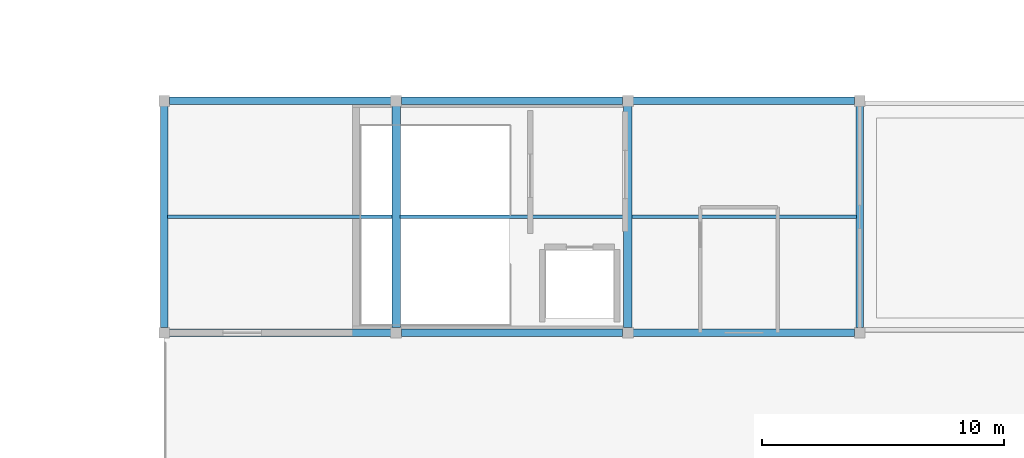
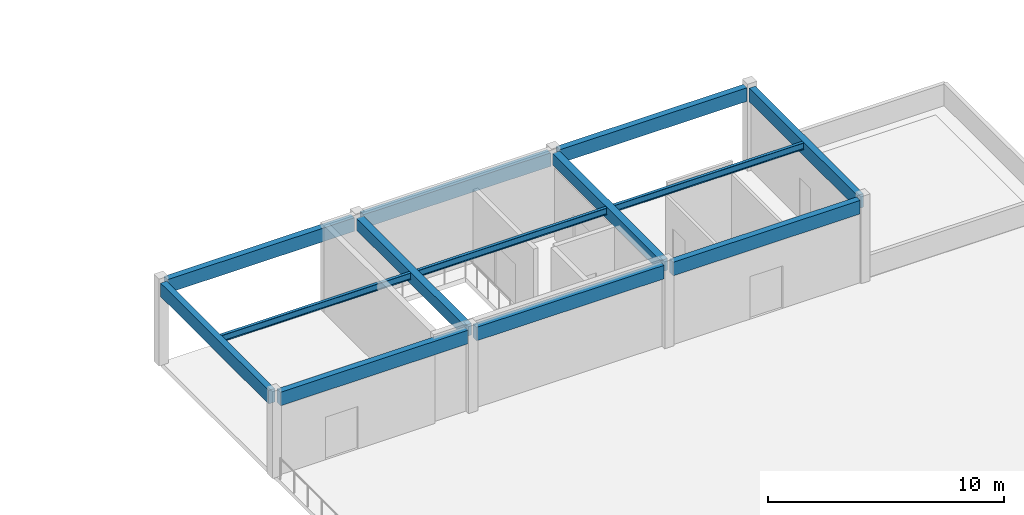
# One storey, part 8 of 22: 13 beams.
"""IFC4 building model written with IfcOpenShell, lengths in metres."""

from ifc_helpers import new_model, si_unit, direction, frame, origin, origin_2d, place, context, subcontext, project, spatial, rectangle, i_section, extrude, material, material_profile, profile_set, type_object, element, save


model = new_model("IFC4")

# Units and contexts
model_context = context("Model", 3, precision=1e-05, world=origin(), true_north=direction((0.0, 1.0)))
body_context = subcontext(model_context, "Body", "Model", "MODEL_VIEW")
ifc_project = project(units=[si_unit("LENGTHUNIT", "METRE"), si_unit("AREAUNIT", "SQUARE_METRE"), si_unit("VOLUMEUNIT", "CUBIC_METRE"), si_unit("PLANEANGLEUNIT", "RADIAN"), si_unit("MASSUNIT", "GRAM", prefix="KILO")], contexts=[model_context])

# Site, building, storey
site_placement = place(None, origin())
site = spatial("IfcSite", under=ifc_project, at=site_placement, CompositionType="ELEMENT")
building_placement = place(site_placement, origin())
building = spatial("IfcBuilding", under=site, at=building_placement, Name="Suirenkawa Promenade Aquatics Centre", CompositionType="ELEMENT")
storey_placement = place(building_placement, frame((0.0, 0.0, 14.10009765625)))
storey = spatial("IfcBuildingStorey", under=building, at=storey_placement, Name="L03", CompositionType="ELEMENT", Elevation=14.10009765625)

# Beams
ifc_material_1 = material(Name="Steel IS 2062 E350 (Grade 350)", Category="steel")
ifc_material_profile_1 = material_profile(ifc_material_1, i_section(OverallWidth=0.139892578125, OverallDepth=0.35009765625, WebThickness=0.008056640625, FlangeThickness=0.013916015625, at=origin_2d()), Name="ISMB 350", Category="steel")
ifc_profile_set_1 = profile_set([ifc_material_profile_1], Name="Steel IS 2062 E350 (Grade 350)")
beam_type_1 = type_object("IfcBeamType", Name="BT-JOIST-ISMB350", PredefinedType="JOIST", material=ifc_profile_set_1)
beam_1_placement = place(storey_placement, frame((156.14404296875, 44.39990234375, 4.093017578125), z_axis=(1.0, 0.0, 0.0), x_axis=(0.0, 1.0, 0.0)))
element("IfcBeam", 1, at=beam_1_placement, inside=storey, type_object=beam_type_1, Name="Secondary floor joist JS-03 BM-1804", PredefinedType="JOIST", context=body_context, shape_type="SweptSolid", body=[
    extrude(i_section(OverallWidth=0.139892578125, OverallDepth=0.35009765625, WebThickness=0.008056640625, FlangeThickness=0.013916015625, at=origin_2d()), origin(), (0.0, 0.0, 1.0), 9.286865234375),
])
beam_2_placement = place(storey_placement, frame((165.76904296875, 44.39990234375, 4.093017578125), z_axis=(1.0, 0.0, 0.0), x_axis=(0.0, 1.0, 0.0)))
element("IfcBeam", 2, at=beam_2_placement, inside=storey, type_object=beam_type_1, Name="Secondary floor joist JS-03 BM-1805", PredefinedType="JOIST", context=body_context, shape_type="SweptSolid", body=[
    extrude(i_section(OverallWidth=0.139892578125, OverallDepth=0.35009765625, WebThickness=0.008056640625, FlangeThickness=0.013916015625, at=origin_2d()), origin(), (0.0, 0.0, 1.0), 9.261962890625),
])
beam_3_placement = place(storey_placement, frame((175.368896484375, 44.39990234375, 4.093017578125), z_axis=(1.0, 0.0, 0.0), x_axis=(0.0, 1.0, 0.0)))
element("IfcBeam", 3, at=beam_3_placement, inside=storey, type_object=beam_type_1, Name="Secondary floor joist JS-03 BM-1806", PredefinedType="JOIST", context=body_context, shape_type="SweptSolid", body=[
    extrude(i_section(OverallWidth=0.139892578125, OverallDepth=0.35009765625, WebThickness=0.008056640625, FlangeThickness=0.013916015625, at=origin_2d()), origin(), (0.0, 0.0, 1.0), 9.287109375),
])
ifc_material_2 = material(Name="Concrete M35", Category="concrete")
ifc_material_profile_2 = material_profile(ifc_material_2, rectangle(XDim=0.35009765625, YDim=0.60009765625, at=origin_2d()), Name="RC BM 350x600", Category="concrete")
ifc_profile_set_2 = profile_set([ifc_material_profile_2], Name="Concrete M35")
beam_type_2 = type_object("IfcBeamType", Name="BT-RC-350x600", PredefinedType="BEAM", material=ifc_profile_set_2)
for number, where, z_axis, x_axis, name in (
    (4, (165.60009765625, 39.819091796875, 3.969970703125), (0.0, 1.0, 0.0), (-1.0, 0.0, 0.0), "Floor beam BM-02 BM-1801"),
    (5, (175.199951171875, 39.819091796875, 3.969970703125), (0.0, 1.0, 0.0), (-1.0, 0.0, 0.0), "Floor beam BM-02 BM-1802"),
):
    element("IfcBeam", number, at=place(storey_placement, frame(where, z_axis=z_axis, x_axis=x_axis)), inside=storey, type_object=beam_type_2, Name=name, PredefinedType="BEAM", context=body_context, shape_type="SweptSolid", body=[
        extrude(rectangle(XDim=0.35009765625, YDim=0.60009765625, at=origin_2d()), origin(), (0.0, 0.0, 1.0), 9.161865234375),
    ])
ifc_material_3 = material(Name="Concrete M40", Category="concrete")
ifc_material_profile_3 = material_profile(ifc_material_3, rectangle(XDim=0.300048828125, YDim=0.699951171875, at=origin_2d()), Name="RC SPANDREL 300x700", Category="concrete")
ifc_profile_set_3 = profile_set([ifc_material_profile_3], Name="Concrete M40")
beam_type_3 = type_object("IfcBeamType", Name="BT-SPANDREL-300x700", PredefinedType="SPANDREL", material=ifc_profile_set_3)
beam_4_placement = place(storey_placement, frame((156.218994140625, 39.60009765625, 3.919921875), z_axis=(1.0, 0.0, 0.0), x_axis=(0.0, 1.0, 0.0)))
element("IfcBeam", 6, at=beam_4_placement, inside=storey, type_object=beam_type_3, Name="Floor beam SP-01 BM-1794", PredefinedType="SPANDREL", context=body_context, shape_type="SweptSolid", body=[
    extrude(rectangle(XDim=0.300048828125, YDim=0.699951171875, at=origin_2d()), origin(), (0.0, 0.0, 1.0), 9.162109375),
])
beam_5_placement = place(storey_placement, frame((165.819091796875, 39.60009765625, 3.919921875), z_axis=(1.0, 0.0, 0.0), x_axis=(0.0, 1.0, 0.0)))
element("IfcBeam", 7, at=beam_5_placement, inside=storey, type_object=beam_type_3, Name="Floor beam SP-01 BM-1795", PredefinedType="SPANDREL", context=body_context, shape_type="SweptSolid", body=[
    extrude(rectangle(XDim=0.300048828125, YDim=0.699951171875, at=origin_2d()), origin(), (0.0, 0.0, 1.0), 9.161865234375),
])
for number, where, z_axis, x_axis, name in (
    (8, (175.4189453125, 39.60009765625, 3.919921875), (1.0, 0.0, 0.0), (0.0, 1.0, 0.0), "Floor beam SP-01 BM-1796"),
    (9, (156.218994140625, 49.199951171875, 3.919921875), (1.0, 0.0, 0.0), (0.0, 1.0, 0.0), "Floor beam SP-01 BM-1797"),
):
    element("IfcBeam", number, at=place(storey_placement, frame(where, z_axis=z_axis, x_axis=x_axis)), inside=storey, type_object=beam_type_3, Name=name, PredefinedType="SPANDREL", context=body_context, shape_type="SweptSolid", body=[
        extrude(rectangle(XDim=0.300048828125, YDim=0.699951171875, at=origin_2d()), origin(), (0.0, 0.0, 1.0), 9.162109375),
    ])
beam_6_placement = place(storey_placement, frame((165.819091796875, 49.199951171875, 3.919921875), z_axis=(1.0, 0.0, 0.0), x_axis=(0.0, 1.0, 0.0)))
element("IfcBeam", 10, at=beam_6_placement, inside=storey, type_object=beam_type_3, Name="Floor beam SP-01 BM-1798", PredefinedType="SPANDREL", context=body_context, shape_type="SweptSolid", body=[
    extrude(rectangle(XDim=0.300048828125, YDim=0.699951171875, at=origin_2d()), origin(), (0.0, 0.0, 1.0), 9.161865234375),
])
beam_7_placement = place(storey_placement, frame((175.4189453125, 49.199951171875, 3.919921875), z_axis=(1.0, 0.0, 0.0), x_axis=(0.0, 1.0, 0.0)))
element("IfcBeam", 11, at=beam_7_placement, inside=storey, type_object=beam_type_3, Name="Floor beam SP-01 BM-1799", PredefinedType="SPANDREL", context=body_context, shape_type="SweptSolid", body=[
    extrude(rectangle(XDim=0.300048828125, YDim=0.699951171875, at=origin_2d()), origin(), (0.0, 0.0, 1.0), 9.162109375),
])
for number, where, z_axis, x_axis, name in (
    (12, (156.0, 39.819091796875, 3.919921875), (0.0, 1.0, 0.0), (-1.0, 0.0, 0.0), "Floor beam SP-01 BM-1800"),
    (13, (184.800048828125, 39.819091796875, 3.919921875), (0.0, 1.0, 0.0), (-1.0, 0.0, 0.0), "Floor beam SP-01 BM-1803"),
):
    element("IfcBeam", number, at=place(storey_placement, frame(where, z_axis=z_axis, x_axis=x_axis)), inside=storey, type_object=beam_type_3, Name=name, PredefinedType="SPANDREL", context=body_context, shape_type="SweptSolid", body=[
        extrude(rectangle(XDim=0.300048828125, YDim=0.699951171875, at=origin_2d()), origin(), (0.0, 0.0, 1.0), 9.161865234375),
    ])

save(model, "model.ifc")
